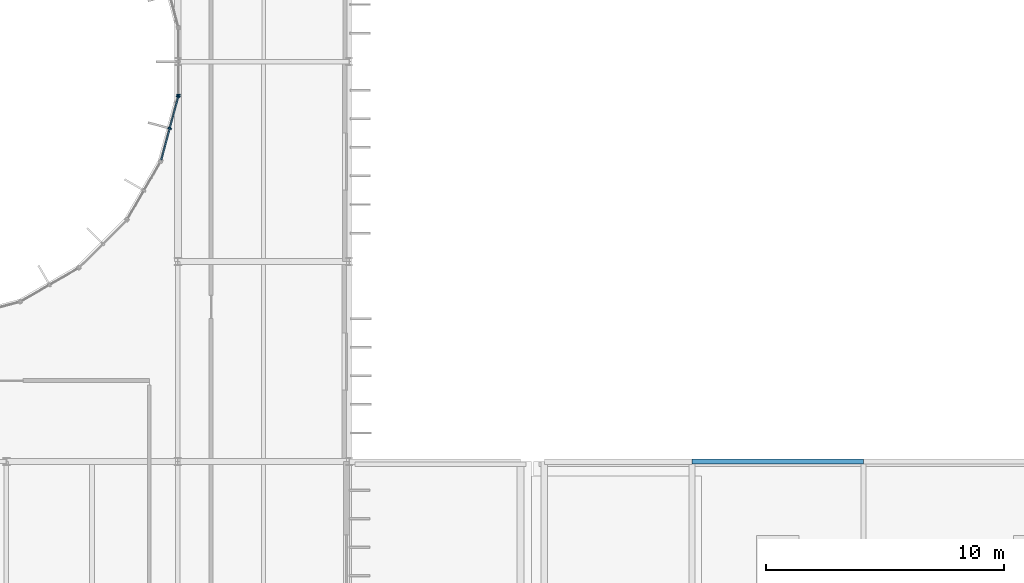
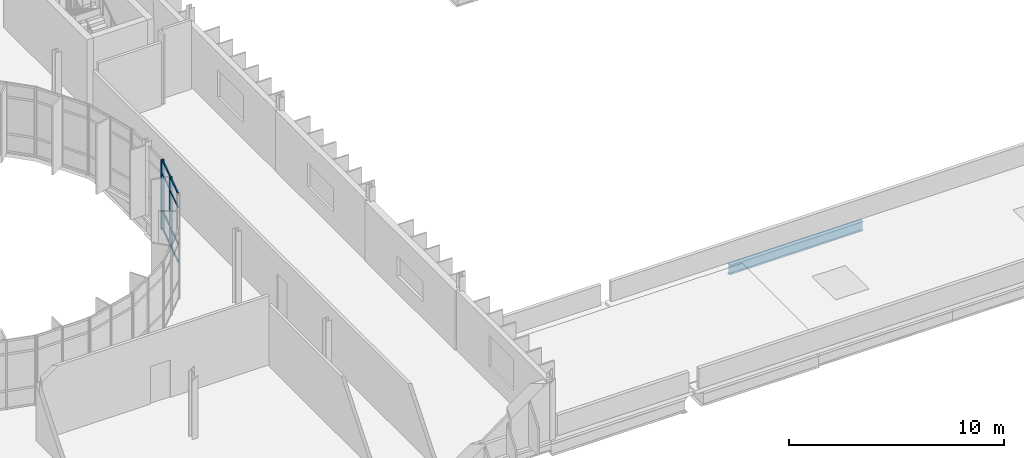
# One storey, part 24 of 61: 7 members, 1 beam, 2 elements without a shape of their own.
"""IFC4 building model written with IfcOpenShell, lengths in metres."""

import ifcopenshell
import ifcopenshell.guid

model = None  # the IFC model being written
_history = None  # IfcOwnerHistory: only IFC2X3 demands one
_inside = {}  # id of a spatial element -> (the spatial element, [elements in it])
_under = {}  # id of a project, library or spatial element -> (it, [spatial elements below it])
_declared = {}  # id of a project -> (the project, [libraries it declares])
_typed = {}  # id of a type object -> (the type object, [elements of that type])
_made_of = {}  # id of a material, layer set ... -> (it, [elements and type objects made of it])


def new_model(schema):
    """Start an empty IFC model of exactly this schema.

    Asked for "IFC4X3", IfcOpenShell would pick the latest addendum, in which some entities
    have other attributes; the version numbers below select the first issue.
    IFC2X3 requires an IfcOwnerHistory on every rooted entity: one is made here for all.
    """
    global model, _history
    if schema == "IFC4X3":
        model = ifcopenshell.file(schema_version=(4, 3, 0, 0))
    else:
        model = ifcopenshell.file(schema=schema)
    _inside.clear()
    _under.clear()
    _declared.clear()
    _typed.clear()
    _made_of.clear()
    _history = None
    if model.schema == "IFC2X3":
        org = make("IfcOrganization", Name="unknown")
        user = make(
            "IfcPersonAndOrganization",
            ThePerson=make("IfcPerson", FamilyName="unknown"),
            TheOrganization=org,
        )
        app = make(
            "IfcApplication",
            ApplicationDeveloper=org,
            Version="unknown",
            ApplicationFullName="unknown",
            ApplicationIdentifier="unknown",
        )
        _history = make(
            "IfcOwnerHistory",
            OwningUser=user,
            OwningApplication=app,
            ChangeAction="ADDED",
            CreationDate=0,
        )
    return model


def make(cls, **values):
    """One entity of the class cls with the attributes given. An attribute that is None is left unset."""
    return model.create_entity(
        cls, **{name: value for name, value in values.items() if value is not None}
    )


def rooted(cls, **values):
    """An entity with a GlobalId (a new one), such as an element, a storey or a relation."""
    return make(cls, GlobalId=ifcopenshell.guid.new(), OwnerHistory=_history, **values)


def si_unit(unit_type, name, prefix=None):
    """IfcSIUnit, for example si_unit("LENGTHUNIT", "METRE", prefix="MILLI")."""
    return make("IfcSIUnit", UnitType=unit_type, Prefix=prefix, Name=name)


def assignment(units):
    """IfcUnitAssignment: the units of a project."""
    return None if units is None else make("IfcUnitAssignment", Units=units)


def point(xyz):
    """IfcCartesianPoint."""
    return None if xyz is None else make("IfcCartesianPoint", Coordinates=xyz)


def direction(xyz):
    """IfcDirection."""
    return None if xyz is None else make("IfcDirection", DirectionRatios=xyz)


def frame(location, z_axis=None, x_axis=None):
    """IfcAxis2Placement3D, a coordinate frame: its origin and axes. An axis left out is left unset."""
    return make(
        "IfcAxis2Placement3D",
        Location=point(location),
        Axis=direction(z_axis),
        RefDirection=direction(x_axis),
    )


def frame_2d(location, x_axis=None):
    """IfcAxis2Placement2D, a coordinate frame in the plane: its origin and x axis."""
    return make(
        "IfcAxis2Placement2D", Location=point(location), RefDirection=direction(x_axis)
    )


def origin():
    """The frame at (0, 0, 0) with its axes left unset."""
    return frame((0.0, 0.0, 0.0))


def origin_2d():
    """The frame at (0, 0) in the plane with its x axis left unset."""
    return frame_2d((0.0, 0.0))


def place(relative_to, where):
    """IfcLocalPlacement: puts the frame where relative to a parent placement (None: the world)."""
    return make(
        "IfcLocalPlacement", PlacementRelTo=relative_to, RelativePlacement=where
    )


def context(
    kind, dimensions, precision=None, world=None, true_north=None, identifier=None
):
    """IfcGeometricRepresentationContext, for example the 3D "Model" context."""
    return make(
        "IfcGeometricRepresentationContext",
        ContextIdentifier=identifier,
        ContextType=kind,
        CoordinateSpaceDimension=dimensions,
        Precision=precision,
        WorldCoordinateSystem=world,
        TrueNorth=true_north,
    )


def subcontext(parent, identifier, kind, view, scale=None):
    """IfcGeometricRepresentationSubContext, for example "Body" below "Model"."""
    return make(
        "IfcGeometricRepresentationSubContext",
        ContextIdentifier=identifier,
        ContextType=kind,
        ParentContext=parent,
        TargetScale=scale,
        TargetView=view,
    )


def project(units=None, contexts=None):
    """IfcProject with its units and contexts."""
    return rooted(
        "IfcProject",
        Name="project",
        RepresentationContexts=contexts,
        UnitsInContext=assignment(units),
    )


def spatial(cls, under=None, at=None, **own):
    """A site, building, storey or space (cls), placed at a placement, below another one or the project."""
    s = rooted(cls, ObjectPlacement=at, **own)
    if under is not None:
        _under.setdefault(under.id(), (under, []))[1].append(s)
    return s


def profile(cls, at=None, kind="AREA", **sizes):
    """A parametric profile (cls). Its sizes go by their IFC names, for example OverallWidth=200.0."""
    return make(cls, ProfileType=kind, Position=at, **sizes)


def rectangle(**sizes):
    """IfcRectangleProfileDef."""
    return profile("IfcRectangleProfileDef", **sizes)


def i_section(**sizes):
    """IfcIShapeProfileDef."""
    return profile("IfcIShapeProfileDef", **sizes)


def extrude(swept, where, along, depth):
    """IfcExtrudedAreaSolid: the profile swept, set in the frame where, extruded along a direction by depth."""
    return make(
        "IfcExtrudedAreaSolid",
        SweptArea=swept,
        Position=where,
        ExtrudedDirection=direction(along),
        Depth=depth,
    )


def shape(context_of_items, identifier, shape_type, items):
    """IfcShapeRepresentation: the items that make up one representation, for example the "Body"."""
    return make(
        "IfcShapeRepresentation",
        ContextOfItems=context_of_items,
        RepresentationIdentifier=identifier,
        RepresentationType=shape_type,
        Items=items,
    )


def material(Name=None, Category=None):
    """IfcMaterial."""
    return make("IfcMaterial", Name=Name, Category=Category)


def material_profile(
    of_material, cross_section, Name=None, Category=None, Priority=None
):
    """IfcMaterialProfile: a cross section and its material."""
    return make(
        "IfcMaterialProfile",
        Name=Name,
        Material=of_material,
        Profile=cross_section,
        Priority=Priority,
        Category=Category,
    )


def profile_set(profiles, Name=None, composite=None):
    """IfcMaterialProfileSet."""
    return make(
        "IfcMaterialProfileSet",
        Name=Name,
        MaterialProfiles=profiles,
        CompositeProfile=composite,
    )


def made_of(thing, what):
    """Note that an element or type object is made of a material, layer set ...; save() writes the relation."""
    if what is not None:
        _made_of.setdefault(what.id(), (what, []))[1].append(thing)
    return thing


def type_object(cls, material=None, **own):
    """A type object (cls), such as IfcWallType, which elements share."""
    return made_of(rooted(cls, **own), material)


def element(
    cls,
    number,
    at=None,
    inside=None,
    cuts=None,
    type_object=None,
    material=None,
    context=None,
    identifier="Body",
    shape_type=None,
    held_by="IfcProductDefinitionShape",
    body=None,
    shapes=None,
    **own,
):
    """One element of the class cls, such as IfcWall. Its Tag is "e" and its number.

    at: its placement. inside: the storey or other place that contains it. cuts: it is an
    opening in that element (IfcRelVoidsElement). A single representation is given by context,
    identifier, shape_type and body (its items); several are given by shapes. held_by: the class
    of the entity that holds the representations. save() writes the other relations.
    """
    e = rooted(cls, Tag="e%d" % number, ObjectPlacement=at, **own)
    if body is not None:
        shapes = [shape(context, identifier, shape_type, body)]
    if shapes is not None:
        e.Representation = make(held_by, Representations=shapes)
    if inside is not None:
        _inside.setdefault(inside.id(), (inside, []))[1].append(e)
    if cuts is not None:
        rooted(
            "IfcRelVoidsElement", RelatingBuildingElement=cuts, RelatedOpeningElement=e
        )
    if type_object is not None:
        _typed.setdefault(type_object.id(), (type_object, []))[1].append(e)
    return made_of(e, material)


def aggregate(whole, parts):
    """IfcRelAggregates: a whole, such as a stair, and the parts it consists of."""
    return rooted("IfcRelAggregates", RelatingObject=whole, RelatedObjects=parts)


def save(model, path):
    """Write the relations noted so far, then the file.

    IfcRelAggregates (storeys below a building ...), IfcRelContainedInSpatialStructure (elements
    in a storey), IfcRelDefinesByType, IfcRelAssociatesMaterial and IfcRelDeclares: one each for
    every whole, place, type object, material and project.
    """
    for whole, parts in _under.values():
        aggregate(whole, parts)
    for where, things in _inside.values():
        rooted(
            "IfcRelContainedInSpatialStructure",
            RelatedElements=things,
            RelatingStructure=where,
        )
    for kind, things in _typed.values():
        rooted("IfcRelDefinesByType", RelatedObjects=things, RelatingType=kind)
    for what, things in _made_of.values():
        rooted("IfcRelAssociatesMaterial", RelatedObjects=things, RelatingMaterial=what)
    for by, libraries in _declared.values():
        rooted("IfcRelDeclares", RelatingContext=by, RelatedDefinitions=libraries)
    model.write(path)


model = new_model("IFC4")

# Units and contexts
model_context = context("Model", 3, precision=1e-05, world=origin(), true_north=direction((0.0, 1.0)))
body_context = subcontext(model_context, "Body", "Model", "MODEL_VIEW")
ifc_project = project(units=[si_unit("LENGTHUNIT", "METRE"), si_unit("AREAUNIT", "SQUARE_METRE"), si_unit("VOLUMEUNIT", "CUBIC_METRE"), si_unit("PLANEANGLEUNIT", "RADIAN"), si_unit("MASSUNIT", "GRAM", prefix="KILO")], contexts=[model_context])

# Site, building, storey
site_placement = place(None, origin())
site = spatial("IfcSite", under=ifc_project, at=site_placement, CompositionType="ELEMENT")
building_placement = place(site_placement, origin())
building = spatial("IfcBuilding", under=site, at=building_placement, Name="Qelthora Terrace Specialist Clinic", CompositionType="ELEMENT")
storey_placement = place(building_placement, frame((0.0, 0.0, 13.199951171875)))
storey = spatial("IfcBuildingStorey", under=building, at=storey_placement, Name="L03", CompositionType="ELEMENT", Elevation=13.199951171875)

# Beam
ifc_material_1 = material(Name="Steel S355", Category="steel")
ifc_material_profile_1 = material_profile(ifc_material_1, i_section(OverallWidth=0.2119140625, OverallDepth=0.5439453125, WebThickness=0.01318359375, FlangeThickness=0.021240234375, FilletRadius=0.013916015625, at=origin_2d()), Name="W530X123")
ifc_profile_set_1 = profile_set([ifc_material_profile_1], Name="Steel S355")
beam_type = type_object("IfcBeamType", Name="BM-W530X123", PredefinedType="BEAM", material=ifc_profile_set_1)
beam_placement = place(storey_placement, frame((57.60009765625, 67.199951171875, -0.52197265625), z_axis=(1.0, 0.0, 0.0), x_axis=(0.0, 1.0, 0.0)))
element("IfcBeam", 1, at=beam_placement, inside=storey, type_object=beam_type, Name="Girder BMX-L03-0957", PredefinedType="BEAM", context=body_context, shape_type="SweptSolid", body=[
    extrude(i_section(OverallWidth=0.2119140625, OverallDepth=0.5439453125, WebThickness=0.01318359375, FlangeThickness=0.021240234375, FilletRadius=0.013916015625, at=origin_2d()), origin(), (0.0, 0.0, 1.0), 7.199951171875),
])

# Curtain wall, members
ifc_material_2 = material(Name="Aluminium anodized bronze", Category="aluminium")
curtain_wall_type = type_object("IfcCurtainWallType", Name="CW-CRTW-UPP", PredefinedType="NOTDEFINED", material=ifc_material_2)
curtain_wall_1_placement = place(storey_placement, origin())
curtain_wall_1 = element("IfcCurtainWall", 2, at=curtain_wall_1_placement, inside=storey, type_object=curtain_wall_type, Name="Curtain wall CW-CW-L03-23", PredefinedType="NOTDEFINED")
ifc_material_profile_2 = material_profile(ifc_material_2, rectangle(XDim=0.06005859375, YDim=0.14990234375, at=origin_2d()), Name="CWM60X150")
ifc_profile_set_2 = profile_set([ifc_material_profile_2], Name="Aluminium anodized bronze")
member_type_1 = type_object("IfcMemberType", Name="CWM-60X150", PredefinedType="MULLION", material=ifc_profile_set_2)
member_1_placement = place(storey_placement, frame((35.65869140625, 81.197509765625, 0.0), z_axis=(0.0, 0.0, 1.0), x_axis=(0.258820356987, 0.96592547477, 0.0)))
member_1 = element("IfcMember", 3, at=member_1_placement, type_object=member_type_1, Name="CW-CW-L03-23 mullion 2", PredefinedType="MULLION", context=body_context, shape_type="SweptSolid", body=[
    extrude(rectangle(XDim=0.06005859375, YDim=0.14990234375, at=origin_2d()), origin(), (0.0, 0.0, 1.0), 3.945068359375),
])
member_2_placement = place(storey_placement, frame((36.018310546875, 82.5400390625, 0.0), z_axis=(0.0, 0.0, 1.0), x_axis=(0.258820356987, 0.96592547477, 0.0)))
member_2 = element("IfcMember", 4, at=member_2_placement, type_object=member_type_1, Name="CW-CW-L03-23 mullion 3", PredefinedType="MULLION", context=body_context, shape_type="SweptSolid", body=[
    extrude(rectangle(XDim=0.06005859375, YDim=0.14990234375, at=origin_2d()), origin(), (0.0, 0.0, 1.0), 3.945068359375),
])

# Curtain wall, member
curtain_wall_2_placement = place(storey_placement, origin())
curtain_wall_2 = element("IfcCurtainWall", 5, at=curtain_wall_2_placement, inside=storey, type_object=curtain_wall_type, Name="Curtain wall CW-CW-L03-24", PredefinedType="NOTDEFINED")
member_3_placement = place(storey_placement, frame((36.027587890625, 82.6103515625, 0.0), z_axis=(0.0, 0.0, 1.0), x_axis=(0.0, 1.0, 0.0)))
member_3 = element("IfcMember", 6, at=member_3_placement, type_object=member_type_1, Name="CW-CW-L03-24 mullion 1", PredefinedType="MULLION", context=body_context, shape_type="SweptSolid", body=[
    extrude(rectangle(XDim=0.06005859375, YDim=0.14990234375, at=origin_2d()), origin(), (0.0, 0.0, 1.0), 3.945068359375),
])
aggregate(curtain_wall_2, [member_3])

# Member
ifc_material_profile_3 = material_profile(ifc_material_2, rectangle(XDim=0.06005859375, YDim=0.110107421875, at=origin_2d()), Name="CWT60X110")
ifc_profile_set_3 = profile_set([ifc_material_profile_3], Name="Aluminium anodized bronze")
member_type_2 = type_object("IfcMemberType", Name="CWT-60X110", PredefinedType="USERDEFINED", material=ifc_profile_set_3)
member_4_placement = place(storey_placement, frame((35.30419921875, 79.87451171875, 0.0400390625), z_axis=(0.258816272122, 0.965926569303, 0.0), x_axis=(-0.965926569303, 0.258816272122, 0.0)))
member_4 = element("IfcMember", 7, at=member_4_placement, type_object=member_type_2, Name="CW-CW-L03-23 transom 1", ObjectType="TRANSOM", PredefinedType="USERDEFINED", context=body_context, shape_type="SweptSolid", body=[
    extrude(rectangle(XDim=0.06005859375, YDim=0.110107421875, at=origin_2d()), origin(), (0.0, 0.0, 1.0), 2.7392578125),
])

member_5_placement = place(storey_placement, frame((35.30419921875, 79.87451171875, 1.050048828125), z_axis=(0.258816272122, 0.965926569303, 0.0), x_axis=(-0.965926569303, 0.258816272122, 0.0)))
member_5 = element("IfcMember", 8, at=member_5_placement, type_object=member_type_2, Name="CW-CW-L03-23 transom 2", ObjectType="TRANSOM", PredefinedType="USERDEFINED", context=body_context, shape_type="SweptSolid", body=[
    extrude(rectangle(XDim=0.06005859375, YDim=0.110107421875, at=origin_2d()), origin(), (0.0, 0.0, 1.0), 2.7392578125),
])

member_6_placement = place(storey_placement, frame((35.30419921875, 79.87451171875, 3.14501953125), z_axis=(0.258816272122, 0.965926569303, 0.0), x_axis=(-0.965926569303, 0.258816272122, 0.0)))
member_6 = element("IfcMember", 9, at=member_6_placement, type_object=member_type_2, Name="CW-CW-L03-23 transom 3", ObjectType="TRANSOM", PredefinedType="USERDEFINED", context=body_context, shape_type="SweptSolid", body=[
    extrude(rectangle(XDim=0.06005859375, YDim=0.110107421875, at=origin_2d()), origin(), (0.0, 0.0, 1.0), 2.7392578125),
])

member_7_placement = place(storey_placement, frame((35.30419921875, 79.87451171875, 3.905029296875), z_axis=(0.258816272122, 0.965926569303, 0.0), x_axis=(-0.965926569303, 0.258816272122, 0.0)))
member_7 = element("IfcMember", 10, at=member_7_placement, type_object=member_type_2, Name="CW-CW-L03-23 transom 4", ObjectType="TRANSOM", PredefinedType="USERDEFINED", context=body_context, shape_type="SweptSolid", body=[
    extrude(rectangle(XDim=0.06005859375, YDim=0.110107421875, at=origin_2d()), origin(), (0.0, 0.0, 1.0), 2.7392578125),
])

aggregate(curtain_wall_1, [member_1, member_2, member_4, member_5, member_6, member_7])

save(model, "model.ifc")
